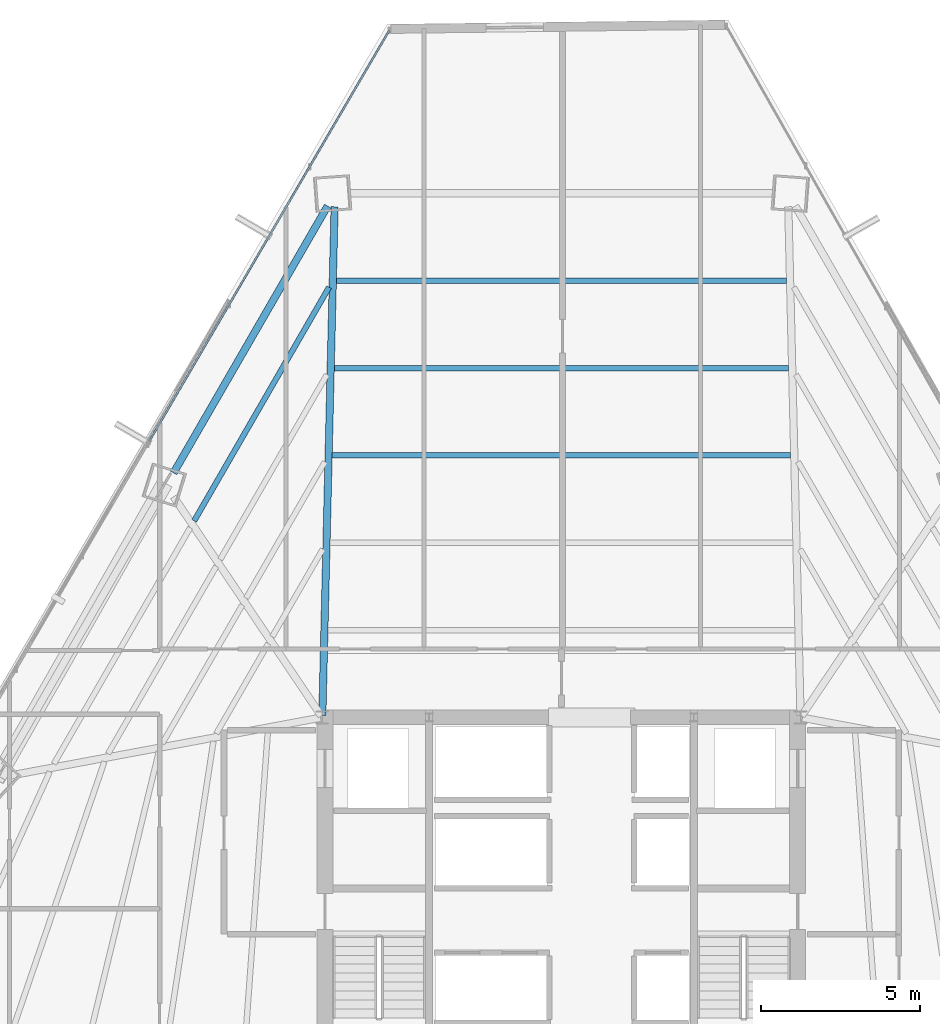
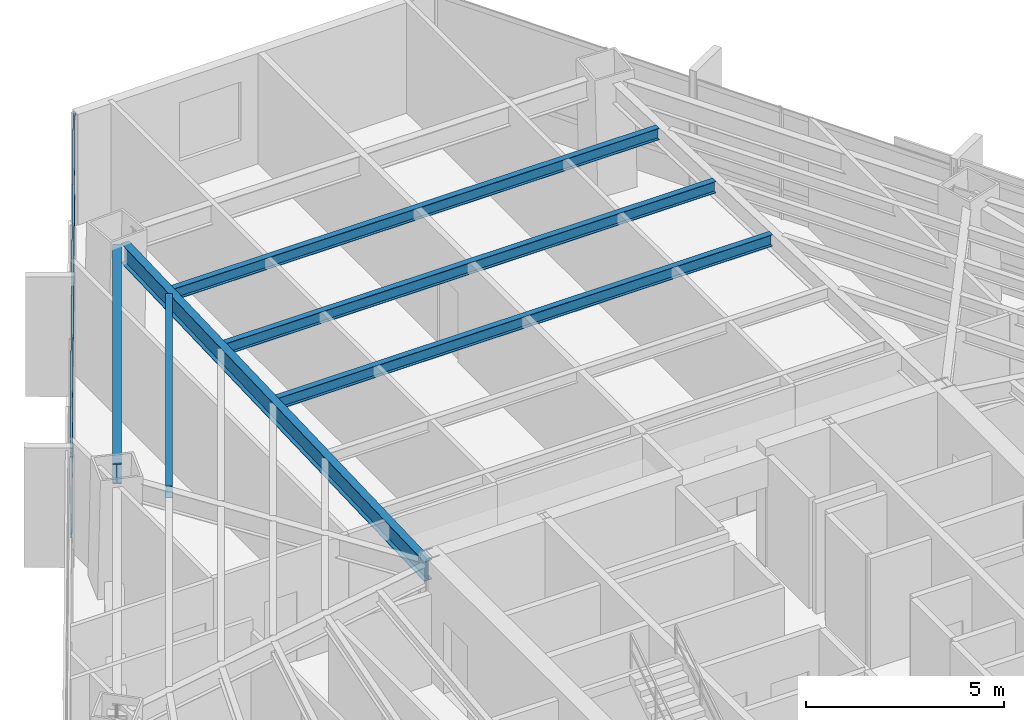
# One storey, part 26 of 37: 6 beams, 2 members, 1 element without a shape of its own.
"""IFC4 building model written with IfcOpenShell, lengths in metres."""

from ifc_helpers import new_model, si_unit, direction, frame, origin, origin_2d, place, context, subcontext, project, spatial, hollow_rectangle, i_section, extrude, source, transform, mapped, material, material_profile, profile_set, type_object, type_shapes, element, aggregate, save


model = new_model("IFC4")

# Units and contexts
model_context = context("Model", 3, precision=1e-05, world=origin(), true_north=direction((0.0, 1.0)))
body_context = subcontext(model_context, "Body", "Model", "MODEL_VIEW")
ifc_project = project(units=[si_unit("LENGTHUNIT", "METRE"), si_unit("AREAUNIT", "SQUARE_METRE"), si_unit("VOLUMEUNIT", "CUBIC_METRE"), si_unit("PLANEANGLEUNIT", "RADIAN"), si_unit("MASSUNIT", "GRAM", prefix="KILO")], contexts=[model_context])

# Site, building, storey
site_placement = place(None, origin())
site = spatial("IfcSite", under=ifc_project, at=site_placement, CompositionType="ELEMENT")
building_placement = place(site_placement, origin())
building = spatial("IfcBuilding", under=site, at=building_placement, Name="Caelisora Broadcast Tower", CompositionType="ELEMENT")
storey_placement = place(building_placement, frame((0.0, 0.0, 116.35009765625)))
storey = spatial("IfcBuildingStorey", under=building, at=storey_placement, Name="L30", CompositionType="ELEMENT", Elevation=116.35009765625)

# Beams
ifc_material_1 = material(Name="Steel Grade 350 (AS/NZS 3679.1)", Category="steel")
ifc_material_profile_1 = material_profile(ifc_material_1, i_section(OverallWidth=0.22900390625, OverallDepth=0.611572265625, WebThickness=0.011962890625, FlangeThickness=0.01953125, at=origin_2d()), Name="Steel Grade 350 (AS/NZS 3679.1)")
ifc_profile_set_1 = profile_set([ifc_material_profile_1], Name="Steel Grade 350 (AS/NZS 3679.1)")
beam_type_1 = type_object("IfcBeamType", Name="PG03", PredefinedType="BEAM", material=ifc_profile_set_1)
shared_shape_1 = source(origin(), body_context, "Body", "SweptSolid", [
    extrude(i_section(OverallWidth=0.22900390625, OverallDepth=0.611572265625, WebThickness=0.011962890625, FlangeThickness=0.01953125, at=origin_2d()), origin(), (0.0, 0.0, 1.0), 9.66455078125),
])
type_shapes(beam_type_1, [shared_shape_1])
beam_1_placement = place(storey_placement, frame((30.665771484375, 46.0361328125, 3.093994140625), z_axis=(-0.500005268417, -0.866022362041, 0.0), x_axis=(0.866022362041, -0.500005268417, 0.0)))
element("IfcBeam", 1, at=beam_1_placement, inside=storey, type_object=beam_type_1, Name="L30 beam PG03", PredefinedType="BEAM", context=body_context, shape_type="MappedRepresentation", body=[
    mapped(shared_shape_1, transform((0.0, 0.0, 0.0), scale=1.0)),
])
ifc_material_profile_2 = material_profile(ifc_material_1, i_section(OverallWidth=0.22802734375, OverallDepth=0.602294921875, WebThickness=0.010498046875, FlangeThickness=0.014892578125, at=origin_2d()), Name="Steel Grade 350 (AS/NZS 3679.1)")
ifc_profile_set_2 = profile_set([ifc_material_profile_2], Name="Steel Grade 350 (AS/NZS 3679.1)")
beam_type_2 = type_object("IfcBeamType", Name="PG04", PredefinedType="BEAM", material=ifc_profile_set_2)
shared_shape_2 = source(origin(), body_context, "Body", "SweptSolid", [
    extrude(i_section(OverallWidth=0.22802734375, OverallDepth=0.602294921875, WebThickness=0.010498046875, FlangeThickness=0.014892578125, at=origin_2d()), origin(), (0.0, 0.0, 1.0), 15.959228515625),
])
type_shapes(beam_type_2, [shared_shape_2])
beam_2_placement = place(storey_placement, frame((30.50146484375, 30.06005859375, 3.098876953125), z_axis=(0.024063420239, 0.999710433979, 0.0), x_axis=(-0.999710433979, 0.024063420239, 0.0)))
element("IfcBeam", 2, at=beam_2_placement, inside=storey, type_object=beam_type_2, Name="L30 beam PG04", PredefinedType="BEAM", context=body_context, shape_type="MappedRepresentation", body=[
    mapped(shared_shape_2, transform((0.0, 0.0, 0.0), scale=1.0)),
])
ifc_material_profile_3 = material_profile(ifc_material_1, i_section(OverallWidth=0.172119140625, OverallDepth=0.358642578125, WebThickness=0.008056640625, FlangeThickness=0.012939453125, at=origin_2d()), Name="Steel Grade 350 (AS/NZS 3679.1)")
ifc_profile_set_3 = profile_set([ifc_material_profile_3], Name="Steel Grade 350 (AS/NZS 3679.1)")
beam_type_3 = type_object("IfcBeamType", Name="SB02", PredefinedType="JOIST", material=ifc_profile_set_3)
shared_shape_3 = source(origin(), body_context, "Body", "SweptSolid", [
    extrude(i_section(OverallWidth=0.172119140625, OverallDepth=0.358642578125, WebThickness=0.008056640625, FlangeThickness=0.012939453125, at=origin_2d()), origin(), (0.0, 0.0, 1.0), 14.38232421875),
])
beam_3_placement = place(storey_placement, frame((45.191162109375, 38.21728515625, 3.220703125), z_axis=(-1.0, 0.0, 0.0), x_axis=(0.0, -1.0, 0.0)))
element("IfcBeam", 3, at=beam_3_placement, inside=storey, type_object=beam_type_3, Name="L30 beam SB02", PredefinedType="JOIST", context=body_context, shape_type="MappedRepresentation", body=[
    mapped(shared_shape_3, transform((0.0, 0.0, 0.0), scale=1.0)),
])
shared_shape_4 = source(origin(), body_context, "Body", "SweptSolid", [
    extrude(i_section(OverallWidth=0.172119140625, OverallDepth=0.358642578125, WebThickness=0.008056640625, FlangeThickness=0.012939453125, at=origin_2d()), origin(), (0.0, 0.0, 1.0), 14.25048828125),
])
beam_4_placement = place(storey_placement, frame((45.125244140625, 40.956298828125, 3.220703125), z_axis=(-1.0, 0.0, 0.0), x_axis=(0.0, -1.0, 0.0)))
element("IfcBeam", 4, at=beam_4_placement, inside=storey, type_object=beam_type_3, Name="L30 beam SB02", PredefinedType="JOIST", context=body_context, shape_type="MappedRepresentation", body=[
    mapped(shared_shape_4, transform((0.0, 0.0, 0.0), scale=1.0)),
])
shared_shape_5 = source(origin(), body_context, "Body", "SweptSolid", [
    extrude(i_section(OverallWidth=0.172119140625, OverallDepth=0.358642578125, WebThickness=0.008056640625, FlangeThickness=0.012939453125, at=origin_2d()), origin(), (0.0, 0.0, 1.0), 14.118408203125),
])
beam_5_placement = place(storey_placement, frame((45.059326171875, 43.695556640625, 3.220703125), z_axis=(-1.0, 0.0, 0.0), x_axis=(0.0, -1.0, 0.0)))
element("IfcBeam", 5, at=beam_5_placement, inside=storey, type_object=beam_type_3, Name="L30 beam SB02", PredefinedType="JOIST", context=body_context, shape_type="MappedRepresentation", body=[
    mapped(shared_shape_5, transform((0.0, 0.0, 0.0), scale=1.0)),
])
shared_shape_6 = source(origin(), body_context, "Body", "SweptSolid", [
    extrude(i_section(OverallWidth=0.172119140625, OverallDepth=0.358642578125, WebThickness=0.008056640625, FlangeThickness=0.012939453125, at=origin_2d()), origin(), (0.0, 0.0, 1.0), 8.46142578125),
])
type_shapes(beam_type_3, [shared_shape_3, shared_shape_4, shared_shape_5, shared_shape_6])
beam_6_placement = place(storey_placement, frame((30.712158203125, 43.491943359375, 3.220703125), z_axis=(-0.499996357363, -0.866027506852, 0.0), x_axis=(0.866027506852, -0.499996357363, 0.0)))
element("IfcBeam", 6, at=beam_6_placement, inside=storey, type_object=beam_type_3, Name="L30 beam SB02", PredefinedType="JOIST", context=body_context, shape_type="MappedRepresentation", body=[
    mapped(shared_shape_6, transform((0.0, 0.0, 0.0), scale=1.0)),
])

# Curtain wall, members
ifc_material_2 = material(Name="Unitised Aluminium and Low-E Glass Curtain Wall", Category="glass")
curtain_wall_type = type_object("IfcCurtainWallType", Name="CW-Z2", PredefinedType="NOTDEFINED", material=ifc_material_2)
curtain_wall_placement = place(storey_placement, origin())
curtain_wall = element("IfcCurtainWall", 7, at=curtain_wall_placement, inside=storey, type_object=curtain_wall_type, Name="L30 curtain wall CW-Z2", PredefinedType="NOTDEFINED")
ifc_material_3 = material(Name="Aluminium 6063-T6 Anodised Terracotta Bronze", Category="aluminium")
ifc_material_profile_4 = material_profile(ifc_material_3, hollow_rectangle(XDim=0.06005859375, YDim=0.14990234375, WallThickness=0.00341796875, at=origin_2d()), Name="Aluminium 6063-T6 Anodised Terracotta Bronze")
ifc_profile_set_4 = profile_set([ifc_material_profile_4], Name="Aluminium 6063-T6 Anodised Terracotta Bronze")
member_type = type_object("IfcMemberType", Name="CWT-02", PredefinedType="USERDEFINED", material=ifc_profile_set_4)
shared_shape_7 = source(origin(), body_context, "Body", "SweptSolid", [
    extrude(hollow_rectangle(XDim=0.06005859375, YDim=0.14990234375, WallThickness=0.00341796875, at=origin_2d()), origin(), (0.0, 0.0, 1.0), 14.92138671875),
])
type_shapes(member_type, [shared_shape_7])
member_1_placement = place(storey_placement, frame((25.073486328125, 38.664306640625, 0.849853515625), z_axis=(0.504468069669, 0.863430348485, 0.0), x_axis=(-0.863430348485, 0.504468069669, 0.0)))
member_1 = element("IfcMember", 8, at=member_1_placement, type_object=member_type, Name="L30-CW-B11 transom #1", ObjectType="TRANSOM", PredefinedType="USERDEFINED", context=body_context, shape_type="MappedRepresentation", body=[
    mapped(shared_shape_7, transform((0.0, 0.0, 0.0), scale=1.0)),
])
member_2_placement = place(storey_placement, frame((25.073486328125, 38.664306640625, 3.31982421875), z_axis=(0.504468069669, 0.863430348485, 0.0), x_axis=(-0.863430348485, 0.504468069669, 0.0)))
member_2 = element("IfcMember", 9, at=member_2_placement, type_object=member_type, Name="L30-CW-B11 transom #2", ObjectType="TRANSOM", PredefinedType="USERDEFINED", context=body_context, shape_type="MappedRepresentation", body=[
    mapped(shared_shape_7, transform((0.0, 0.0, 0.0), scale=1.0)),
])
aggregate(curtain_wall, [member_1, member_2])

save(model, "model.ifc")
